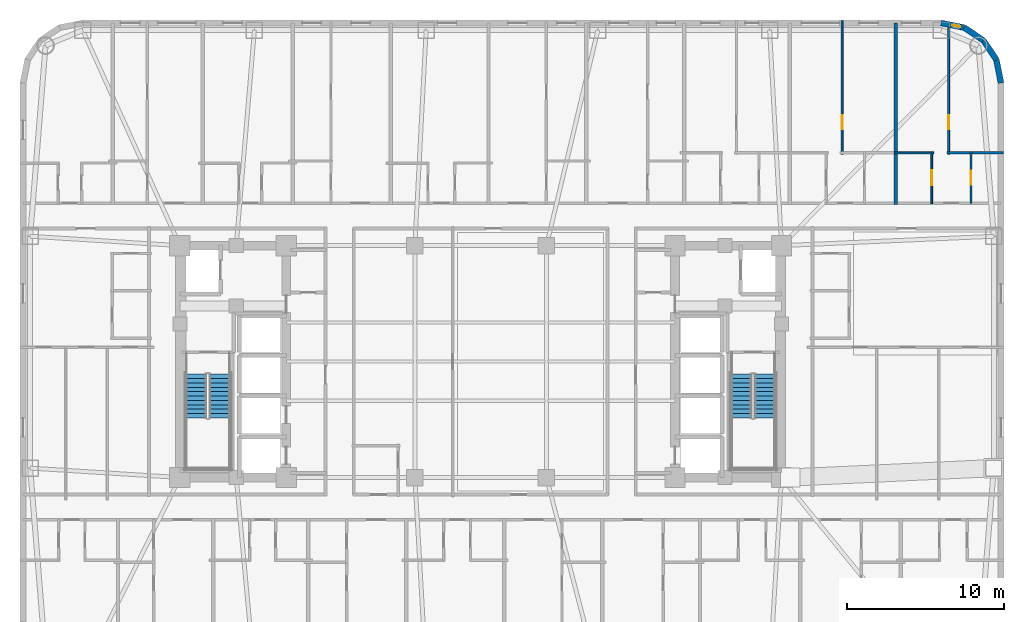
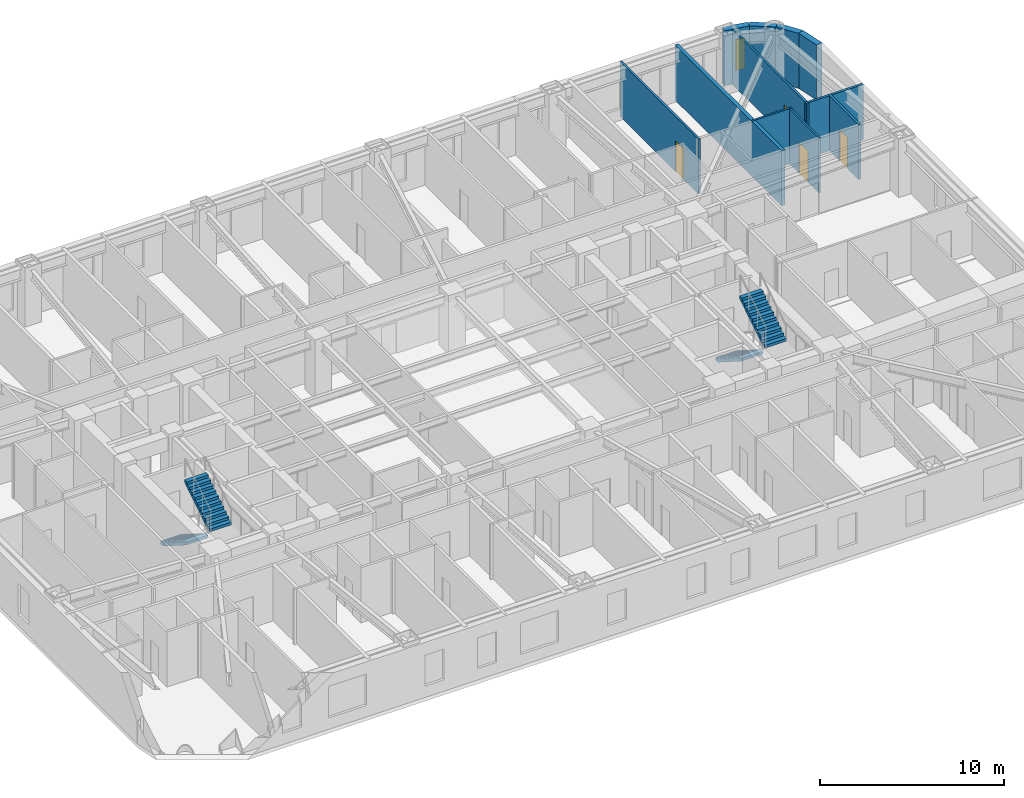
# One storey, part 10 of 13: 11 walls, 4 doors, 4 stair flights, 1 window, 5 openings, 2 elements without a shape of their own.
"""IFC4 building model written with IfcOpenShell, lengths in metres."""

from ifc_helpers import new_model, si_unit, direction, frame, frame_2d, origin, place, context, subcontext, project, spatial, polyline, rectangle, outline, extrude, material, layer, layer_set, type_object, element, fill, aggregate, save


model = new_model("IFC4")

# Units and contexts
model_context = context("Model", 3, precision=1e-05, world=origin(), true_north=direction((0.0, 1.0)))
body_context = subcontext(model_context, "Body", "Model", "MODEL_VIEW")
ifc_project = project(units=[si_unit("LENGTHUNIT", "METRE"), si_unit("AREAUNIT", "SQUARE_METRE"), si_unit("VOLUMEUNIT", "CUBIC_METRE"), si_unit("PLANEANGLEUNIT", "RADIAN"), si_unit("MASSUNIT", "GRAM", prefix="KILO")], contexts=[model_context])

# Site, building, storey
site_placement = place(None, origin())
site = spatial("IfcSite", under=ifc_project, at=site_placement, CompositionType="ELEMENT")
building_placement = place(site_placement, origin())
building = spatial("IfcBuilding", under=site, at=building_placement, Name="Voryun Gate Residences", CompositionType="ELEMENT")
storey_placement = place(building_placement, frame((0.0, 0.0, 124.800048828125)))
storey = spatial("IfcBuildingStorey", under=building, at=storey_placement, Name="L30", CompositionType="ELEMENT", Elevation=124.800048828125)

# Wall, opening, window
ifc_material_1 = material(Name="Granite masonry", Category="masonry")
ifc_layer_1 = layer(ifc_material_1, 0.3798828125, Name="W_EXT_GRANITE_380")
ifc_layer_set_1 = layer_set([ifc_layer_1], Name="Granite masonry")
wall_type_1 = type_object("IfcWallType", Name="W_EXT_GRANITE_380", PredefinedType="ELEMENTEDWALL", material=ifc_layer_set_1)
wall_1_placement = place(storey_placement, frame((29.38134765625, 21.610107421875, 0.0), z_axis=(0.0, 0.0, 1.0), x_axis=(0.980755066645, -0.195242155415, 0.0)))
wall_1 = element("IfcWall", 1, at=wall_1_placement, inside=storey, type_object=wall_type_1, Name="Exterior wall WEXT-L30-12", PredefinedType="ELEMENTEDWALL", context=body_context, shape_type="SweptSolid", body=[
    extrude(rectangle(XDim=1.50439453125, YDim=0.3798828125, at=frame_2d((0.752197265625, 0.0))), origin(), (0.0, 0.0, 1.0), 3.64990234375),
])
opening_1_placement = place(wall_1_placement, frame((0.732177734375, 0.0, 0.75)))
opening_1 = element("IfcOpeningElement", 2, at=opening_1_placement, cuts=wall_1, Name="Opening WN10", PredefinedType="OPENING", context=body_context, shape_type="SweptSolid", body=[
    extrude(rectangle(XDim=0.52001953125, YDim=2.050048828125, at=frame_2d((0.260009765625, 1.02490234375))), frame((0.0, 0.199951171875, 0.0), z_axis=(0.0, -1.0, 0.0), x_axis=(1.0, 0.0, 0.0)), (0.0, 0.0, 1.0), 0.39990234375),
])
ifc_material_2 = material(Name="Laminated low-E glass", Category="glass")
window_type = type_object("IfcWindowType", Name="WN_PAGODA_LANCET_520", PartitioningType="SINGLE_PANEL", PredefinedType="WINDOW", material=ifc_material_2)
window_placement = place(opening_1_placement, origin())
window = element("IfcWindow", 3, at=window_placement, inside=storey, type_object=window_type, Name="Window WN-L30-DWFIX-15", OverallHeight=2.050048828125, OverallWidth=0.52001953125, PartitioningType="SINGLE_PANEL", PredefinedType="WINDOW", context=body_context, shape_type="SweptSolid", body=[
    extrude(rectangle(XDim=0.52001953125, YDim=2.050048828125, at=frame_2d((0.260009765625, 1.02490234375))), frame((0.0, 0.030029296875, 0.0), z_axis=(0.0, -1.0, 0.0), x_axis=(1.0, 0.0, 0.0)), (0.0, 0.0, 1.0), 0.06005859375),
])
fill(opening_1, window)

# Walls
wall_2_placement = place(storey_placement, frame((30.856689453125, 21.31640625, 0.0), z_axis=(0.0, 0.0, 1.0), x_axis=(0.831468045563, -0.555572577804, 0.0)))
element("IfcWall", 4, at=wall_2_placement, inside=storey, type_object=wall_type_1, Name="Exterior wall WEXT-L30-13", PredefinedType="ELEMENTEDWALL", context=body_context, shape_type="SweptSolid", body=[
    extrude(rectangle(XDim=1.48486328125, YDim=0.3798828125, at=frame_2d((0.742431640625, 0.0))), origin(), (0.0, 0.0, 1.0), 3.64990234375),
])
wall_3_placement = place(storey_placement, frame((32.09130859375, 20.491455078125, 0.0), z_axis=(0.0, 0.0, 1.0), x_axis=(0.555610286119, -0.831442848281, 0.0)))
element("IfcWall", 5, at=wall_3_placement, inside=storey, type_object=wall_type_1, Name="Exterior wall WEXT-L30-14", PredefinedType="ELEMENTEDWALL", context=body_context, shape_type="SweptSolid", body=[
    extrude(rectangle(XDim=1.485107421875, YDim=0.3798828125, at=frame_2d((0.74267578125, 0.0))), origin(), (0.0, 0.0, 1.0), 3.64990234375),
])
wall_4_placement = place(storey_placement, frame((32.91650390625, 19.256591796875, 0.0), z_axis=(0.0, 0.0, 1.0), x_axis=(0.195086038585, -0.980786132421, 0.0)))
element("IfcWall", 6, at=wall_4_placement, inside=storey, type_object=wall_type_1, Name="Exterior wall WEXT-L30-15", PredefinedType="ELEMENTEDWALL", context=body_context, shape_type="SweptSolid", body=[
    extrude(rectangle(XDim=1.504150390625, YDim=0.3798828125, at=frame_2d((0.751953125, 0.0))), origin(), (0.0, 0.0, 1.0), 3.64990234375),
])
ifc_material_3 = material(Name="Concrete C40/50", Category="concrete")
ifc_layer_2 = layer(ifc_material_3, 0.219970703125, Name="W_PARTY_ACOUSTIC_220")
ifc_layer_set_2 = layer_set([ifc_layer_2], Name="Concrete C40/50")
wall_type_2 = type_object("IfcWallType", Name="W_PARTY_ACOUSTIC_220", PredefinedType="PARTITIONING", material=ifc_layer_set_2)
wall_5_placement = place(storey_placement, frame((26.47802734375, 10.02001953125, 0.0), z_axis=(0.0, 0.0, 1.0), x_axis=(0.0, 1.0, 0.0)))
element("IfcWall", 7, at=wall_5_placement, inside=storey, type_object=wall_type_2, Name="Partition wall WP-L30-NPTY-9", PredefinedType="PARTITIONING", context=body_context, shape_type="SweptSolid", body=[
    extrude(rectangle(XDim=11.590087890625, YDim=0.219970703125, at=frame_2d((5.794921875, 0.0))), origin(), (0.0, 0.0, 1.0), 3.64990234375),
])

# Wall, opening, door
ifc_material_4 = material(Name="Gypsum acoustic partition")
ifc_layer_3 = layer(ifc_material_4, 0.125, Name="W_UNIT_PART_125")
ifc_layer_set_3 = layer_set([ifc_layer_3], Name="Gypsum acoustic partition")
wall_type_3 = type_object("IfcWallType", Name="W_UNIT_PART_125", PredefinedType="PARTITIONING", material=ifc_layer_set_3)
wall_6_placement = place(storey_placement, frame((23.068115234375, 13.239990234375, 0.0), z_axis=(0.0, 0.0, 1.0), x_axis=(0.0, 1.0, 0.0)))
wall_6 = element("IfcWall", 8, at=wall_6_placement, inside=storey, type_object=wall_type_3, Name="Partition wall WP-L30-N9-OVR", PredefinedType="PARTITIONING", context=body_context, shape_type="SweptSolid", body=[
    extrude(rectangle(XDim=8.52001953125, YDim=0.125, at=frame_2d((4.260009765625, 0.0))), origin(), (0.0, 0.0, 1.0), 3.64990234375),
])
opening_2_placement = place(wall_6_placement, frame((1.5947265625, 0.0, 0.0)))
opening_2 = element("IfcOpeningElement", 9, at=opening_2_placement, cuts=wall_6, Name="Opening D-INT-2", PredefinedType="OPENING", context=body_context, shape_type="SweptSolid", body=[
    extrude(rectangle(XDim=0.89990234375, YDim=2.050048828125, at=frame_2d((0.449951171875, 1.02490234375))), frame((0.0, 0.072509765625, 0.0), z_axis=(0.0, -1.0, 0.0), x_axis=(1.0, 0.0, 0.0)), (0.0, 0.0, 1.0), 0.14501953125),
])
ifc_material_5 = material(Name="Architectural oak veneer")
door_type_1 = type_object("IfcDoorType", Name="DR_INT_BATH_900", OperationType="NOTDEFINED", PredefinedType="DOOR", material=ifc_material_5)
door_1_placement = place(opening_2_placement, origin())
door_1 = element("IfcDoor", 10, at=door_1_placement, inside=storey, type_object=door_type_1, Name="Door DR-L30-N9-DMB", OperationType="SINGLE_SWING_RIGHT", OverallHeight=2.050048828125, OverallWidth=0.89990234375, PredefinedType="DOOR", context=body_context, shape_type="SweptSolid", body=[
    extrude(rectangle(XDim=0.89990234375, YDim=2.050048828125, at=frame_2d((0.449951171875, 1.02490234375))), frame((0.0, 0.02490234375, 0.0), z_axis=(0.0, -1.0, 0.0), x_axis=(1.0, 0.0, 0.0)), (0.0, 0.0, 1.0), 0.050048828125),
])
fill(opening_2, door_1)

wall_7_placement = place(storey_placement, frame((29.867919921875, 13.239990234375, 0.0), z_axis=(0.0, 0.0, 1.0), x_axis=(0.0, 1.0, 0.0)))
wall_7 = element("IfcWall", 11, at=wall_7_placement, inside=storey, type_object=wall_type_3, Name="Partition wall WP-L30-N10-OVR", PredefinedType="PARTITIONING", context=body_context, shape_type="SweptSolid", body=[
    extrude(rectangle(XDim=8.426025390625, YDim=0.125, at=frame_2d((4.212890625, 0.0))), origin(), (0.0, 0.0, 1.0), 3.64990234375),
])
opening_3_placement = place(wall_7_placement, frame((1.572265625, 0.0, 0.0)))
opening_3 = element("IfcOpeningElement", 12, at=opening_3_placement, cuts=wall_7, Name="Opening D-INT-2", PredefinedType="OPENING", context=body_context, shape_type="SweptSolid", body=[
    extrude(rectangle(XDim=0.89990234375, YDim=2.050048828125, at=frame_2d((0.449951171875, 1.02490234375))), frame((0.0, 0.072509765625, 0.0), z_axis=(0.0, -1.0, 0.0), x_axis=(1.0, 0.0, 0.0)), (0.0, 0.0, 1.0), 0.14501953125),
])
door_2_placement = place(opening_3_placement, origin())
door_2 = element("IfcDoor", 13, at=door_2_placement, inside=storey, type_object=door_type_1, Name="Door DR-L30-N10-DMB", OperationType="SINGLE_SWING_RIGHT", OverallHeight=2.050048828125, OverallWidth=0.89990234375, PredefinedType="DOOR", context=body_context, shape_type="SweptSolid", body=[
    extrude(rectangle(XDim=0.89990234375, YDim=2.050048828125, at=frame_2d((0.449951171875, 1.02490234375))), frame((0.0, 0.02490234375, 0.0), z_axis=(0.0, -1.0, 0.0), x_axis=(1.0, 0.0, 0.0)), (0.0, 0.0, 1.0), 0.050048828125),
])
fill(opening_3, door_2)

wall_8_placement = place(storey_placement, frame((28.7880859375, 10.080078125, 0.0), z_axis=(0.0, 0.0, 1.0), x_axis=(0.0, 1.0, 0.0)))
wall_8 = element("IfcWall", 14, at=wall_8_placement, inside=storey, type_object=wall_type_3, Name="Partition wall WP-L30-N10-IVK", PredefinedType="PARTITIONING", context=body_context, shape_type="SweptSolid", body=[
    extrude(rectangle(XDim=3.31982421875, YDim=0.125, at=frame_2d((1.659912109375, 0.0))), origin(), (0.0, 0.0, 1.0), 3.64990234375),
])
opening_4_placement = place(wall_8_placement, frame((1.18505859375, 0.0, 0.0)))
opening_4 = element("IfcOpeningElement", 15, at=opening_4_placement, cuts=wall_8, Name="Opening D-INT-1", PredefinedType="OPENING", context=body_context, shape_type="SweptSolid", body=[
    extrude(rectangle(XDim=0.949951171875, YDim=2.050048828125, at=frame_2d((0.47509765625, 1.02490234375))), frame((0.0, 0.072509765625, 0.0), z_axis=(0.0, -1.0, 0.0), x_axis=(1.0, 0.0, 0.0)), (0.0, 0.0, 1.0), 0.14501953125),
])
ifc_material_6 = material(Name="Architectural oak veneer")
door_type_2 = type_object("IfcDoorType", Name="DR_INT_ROOM_950", OperationType="NOTDEFINED", PredefinedType="DOOR", material=ifc_material_6)
door_3_placement = place(opening_4_placement, origin())
door_3 = element("IfcDoor", 16, at=door_3_placement, inside=storey, type_object=door_type_2, Name="Door DR-L30-N10-DK", OperationType="SINGLE_SWING_LEFT", OverallHeight=2.050048828125, OverallWidth=0.949951171875, PredefinedType="DOOR", context=body_context, shape_type="SweptSolid", body=[
    extrude(rectangle(XDim=0.949951171875, YDim=2.050048828125, at=frame_2d((0.47509765625, 1.02490234375))), frame((0.0, 0.02490234375, 0.0), z_axis=(0.0, -1.0, 0.0), x_axis=(1.0, 0.0, 0.0)), (0.0, 0.0, 1.0), 0.050048828125),
])
fill(opening_4, door_3)

# Walls
wall_9_placement = place(storey_placement, frame((26.403076171875, 13.320068359375, 0.0), z_axis=(0.0, 0.0, 1.0), x_axis=(1.0, 0.0, 0.0)))
element("IfcWall", 17, at=wall_9_placement, inside=storey, type_object=wall_type_3, Name="Partition wall WP-L30-N10-HZK", PredefinedType="PARTITIONING", context=body_context, shape_type="SweptSolid", body=[
    extrude(rectangle(XDim=2.5048828125, YDim=0.125, at=frame_2d((1.25244140625, 0.0))), origin(), (0.0, 0.0, 1.0), 3.64990234375),
])
ifc_material_7 = material(Name="Gypsum moisture-resistant partition")
ifc_layer_4 = layer(ifc_material_7, 0.14990234375, Name="W_WET_PLUMB_150")
ifc_layer_set_4 = layer_set([ifc_layer_4], Name="Gypsum moisture-resistant partition")
wall_type_4 = type_object("IfcWallType", Name="W_WET_PLUMB_150", PredefinedType="PLUMBINGWALL", material=ifc_layer_set_4)
wall_10_placement = place(storey_placement, frame((29.748046875, 13.320068359375, 0.0), z_axis=(0.0, 0.0, 1.0), x_axis=(1.0, 0.0, 0.0)))
element("IfcWall", 18, at=wall_10_placement, inside=storey, type_object=wall_type_4, Name="Partition wall WP-L30-N10-HZB", PredefinedType="PLUMBINGWALL", context=body_context, shape_type="SweptSolid", body=[
    extrude(rectangle(XDim=3.612060546875, YDim=0.14990234375, at=frame_2d((1.80615234375, 0.0))), origin(), (0.0, 0.0, 1.0), 3.64990234375),
])

# Wall, opening, door
wall_11_placement = place(storey_placement, frame((31.298095703125, 10.080078125, 0.0), z_axis=(0.0, 0.0, 1.0), x_axis=(0.0, 1.0, 0.0)))
wall_11 = element("IfcWall", 19, at=wall_11_placement, inside=storey, type_object=wall_type_4, Name="Partition wall WP-L30-N10-IVB", PredefinedType="PLUMBINGWALL", context=body_context, shape_type="SweptSolid", body=[
    extrude(rectangle(XDim=3.31982421875, YDim=0.14990234375, at=frame_2d((1.659912109375, 0.0))), origin(), (0.0, 0.0, 1.0), 3.64990234375),
])
opening_5_placement = place(wall_11_placement, frame((1.2099609375, 0.0, 0.0)))
opening_5 = element("IfcOpeningElement", 20, at=opening_5_placement, cuts=wall_11, Name="Opening D-INT-2", PredefinedType="OPENING", context=body_context, shape_type="SweptSolid", body=[
    extrude(rectangle(XDim=0.89990234375, YDim=2.050048828125, at=frame_2d((0.449951171875, 1.02490234375))), frame((0.0, 0.0849609375, 0.0), z_axis=(0.0, -1.0, 0.0), x_axis=(1.0, 0.0, 0.0)), (0.0, 0.0, 1.0), 0.169921875),
])
door_4_placement = place(opening_5_placement, origin())
door_4 = element("IfcDoor", 21, at=door_4_placement, inside=storey, type_object=door_type_1, Name="Door DR-L30-N10-DB", OperationType="SINGLE_SWING_RIGHT", OverallHeight=2.050048828125, OverallWidth=0.89990234375, PredefinedType="DOOR", context=body_context, shape_type="SweptSolid", body=[
    extrude(rectangle(XDim=0.89990234375, YDim=2.050048828125, at=frame_2d((0.449951171875, 1.02490234375))), frame((0.0, 0.02490234375, 0.0), z_axis=(0.0, -1.0, 0.0), x_axis=(1.0, 0.0, 0.0)), (0.0, 0.0, 1.0), 0.050048828125),
])
fill(opening_5, door_4)

# Stair, stair flights
ifc_material_8 = material(Name="Concrete C40/50", Category="concrete")
stair_type = type_object("IfcStairType", Name="STR_CORE_DOGLEG_1350", PredefinedType="HALF_TURN_STAIR", material=ifc_material_8)
stair_1_placement = place(storey_placement, origin())
stair_1 = element("IfcStair", 22, at=stair_1_placement, inside=storey, type_object=stair_type, Name="L30 Special Escape Stair ST-W1", PredefinedType="HALF_TURN_STAIR")
ifc_material_9 = material(Name="Concrete C40/50", Category="concrete")
stair_flight_type = type_object("IfcStairFlightType", Name="FLT_CORE_1350", PredefinedType="STRAIGHT", material=ifc_material_9)
stair_flight_1_placement = place(storey_placement, frame((-18.14990234375, -0.800048828125, 0.0), z_axis=(0.0, 0.0, 1.0), x_axis=(0.0, -1.0, 0.0)))
stair_flight_1 = element("IfcStairFlight", 23, at=stair_flight_1_placement, type_object=stair_flight_type, Name="ST-W1 flight 1", NumberOfRisers=11, NumberOfTreads=10, PredefinedType="STRAIGHT", RiserHeight=0.177272727, TreadLength=0.28, context=body_context, shape_type="SweptSolid", body=[
    extrude(outline(polyline([(0.0, 0.0), (0.0, 0.17724609375), (0.280029296875, 0.17724609375), (0.280029296875, 0.3544921875), (0.56005859375, 0.3544921875), (0.56005859375, 0.53173828125), (0.840087890625, 0.53173828125), (0.840087890625, 0.708984375), (1.1201171875, 0.708984375), (1.1201171875, 0.886474609375), (1.39990234375, 0.886474609375), (1.39990234375, 1.063720703125), (1.679931640625, 1.063720703125), (1.679931640625, 1.240966796875), (1.9599609375, 1.240966796875), (1.9599609375, 1.418212890625), (2.239990234375, 1.418212890625), (2.239990234375, 1.595458984375), (2.52001953125, 1.595458984375), (2.52001953125, 1.772705078125), (2.800048828125, 1.772705078125), (2.800048828125, 1.949951171875), (2.800048828125, 1.59521484375), (0.2802734375, 0.0), (0.0, 0.0)])), frame((0.0, 0.675048828125, 0.0), z_axis=(0.0, -1.0, 0.0), x_axis=(1.0, 0.0, 0.0)), (0.0, 0.0, 1.0), 1.35009765625),
])
stair_flight_2_placement = place(storey_placement, frame((-16.64990234375, -3.60009765625, 1.949951171875), z_axis=(0.0, 0.0, 1.0), x_axis=(0.0, 1.0, 0.0)))
stair_flight_2 = element("IfcStairFlight", 24, at=stair_flight_2_placement, type_object=stair_flight_type, Name="ST-W1 flight 2", NumberOfRisers=11, NumberOfTreads=10, PredefinedType="STRAIGHT", RiserHeight=0.177272727, TreadLength=0.28, context=body_context, shape_type="SweptSolid", body=[
    extrude(outline(polyline([(0.0, 0.0), (0.0, 0.17724609375), (0.280029296875, 0.17724609375), (0.280029296875, 0.3544921875), (0.56005859375, 0.3544921875), (0.56005859375, 0.53173828125), (0.840087890625, 0.53173828125), (0.840087890625, 0.708984375), (1.1201171875, 0.708984375), (1.1201171875, 0.886474609375), (1.39990234375, 0.886474609375), (1.39990234375, 1.063720703125), (1.679931640625, 1.063720703125), (1.679931640625, 1.240966796875), (1.9599609375, 1.240966796875), (1.9599609375, 1.418212890625), (2.239990234375, 1.418212890625), (2.239990234375, 1.595458984375), (2.52001953125, 1.595458984375), (2.52001953125, 1.772705078125), (2.800048828125, 1.772705078125), (2.800048828125, 1.949951171875), (2.800048828125, 1.59521484375), (0.2802734375, 0.0), (0.0, 0.0)])), frame((0.0, 0.675048828125, 0.0), z_axis=(0.0, -1.0, 0.0), x_axis=(1.0, 0.0, 0.0)), (0.0, 0.0, 1.0), 1.35009765625),
])
aggregate(stair_1, [stair_flight_1, stair_flight_2])

stair_2_placement = place(storey_placement, origin())
stair_2 = element("IfcStair", 25, at=stair_2_placement, inside=storey, type_object=stair_type, Name="L30 Special Escape Stair ST-E1", PredefinedType="HALF_TURN_STAIR")
stair_flight_3_placement = place(storey_placement, frame((16.64990234375, -0.800048828125, 0.0), z_axis=(0.0, 0.0, 1.0), x_axis=(0.0, -1.0, 0.0)))
stair_flight_3 = element("IfcStairFlight", 26, at=stair_flight_3_placement, type_object=stair_flight_type, Name="ST-E1 flight 1", NumberOfRisers=11, NumberOfTreads=10, PredefinedType="STRAIGHT", RiserHeight=0.177272727, TreadLength=0.28, context=body_context, shape_type="SweptSolid", body=[
    extrude(outline(polyline([(0.0, 0.0), (0.0, 0.17724609375), (0.280029296875, 0.17724609375), (0.280029296875, 0.3544921875), (0.56005859375, 0.3544921875), (0.56005859375, 0.53173828125), (0.840087890625, 0.53173828125), (0.840087890625, 0.708984375), (1.1201171875, 0.708984375), (1.1201171875, 0.886474609375), (1.39990234375, 0.886474609375), (1.39990234375, 1.063720703125), (1.679931640625, 1.063720703125), (1.679931640625, 1.240966796875), (1.9599609375, 1.240966796875), (1.9599609375, 1.418212890625), (2.239990234375, 1.418212890625), (2.239990234375, 1.595458984375), (2.52001953125, 1.595458984375), (2.52001953125, 1.772705078125), (2.800048828125, 1.772705078125), (2.800048828125, 1.949951171875), (2.800048828125, 1.59521484375), (0.2802734375, 0.0), (0.0, 0.0)])), frame((0.0, 0.675048828125, 0.0), z_axis=(0.0, -1.0, 0.0), x_axis=(1.0, 0.0, 0.0)), (0.0, 0.0, 1.0), 1.35009765625),
])
stair_flight_4_placement = place(storey_placement, frame((18.14990234375, -3.60009765625, 1.949951171875), z_axis=(0.0, 0.0, 1.0), x_axis=(0.0, 1.0, 0.0)))
stair_flight_4 = element("IfcStairFlight", 27, at=stair_flight_4_placement, type_object=stair_flight_type, Name="ST-E1 flight 2", NumberOfRisers=11, NumberOfTreads=10, PredefinedType="STRAIGHT", RiserHeight=0.177272727, TreadLength=0.28, context=body_context, shape_type="SweptSolid", body=[
    extrude(outline(polyline([(0.0, 0.0), (0.0, 0.17724609375), (0.280029296875, 0.17724609375), (0.280029296875, 0.3544921875), (0.56005859375, 0.3544921875), (0.56005859375, 0.53173828125), (0.840087890625, 0.53173828125), (0.840087890625, 0.708984375), (1.1201171875, 0.708984375), (1.1201171875, 0.886474609375), (1.39990234375, 0.886474609375), (1.39990234375, 1.063720703125), (1.679931640625, 1.063720703125), (1.679931640625, 1.240966796875), (1.9599609375, 1.240966796875), (1.9599609375, 1.418212890625), (2.239990234375, 1.418212890625), (2.239990234375, 1.595458984375), (2.52001953125, 1.595458984375), (2.52001953125, 1.772705078125), (2.800048828125, 1.772705078125), (2.800048828125, 1.949951171875), (2.800048828125, 1.59521484375), (0.2802734375, 0.0), (0.0, 0.0)])), frame((0.0, 0.675048828125, 0.0), z_axis=(0.0, -1.0, 0.0), x_axis=(1.0, 0.0, 0.0)), (0.0, 0.0, 1.0), 1.35009765625),
])
aggregate(stair_2, [stair_flight_3, stair_flight_4])

save(model, "model.ifc")
